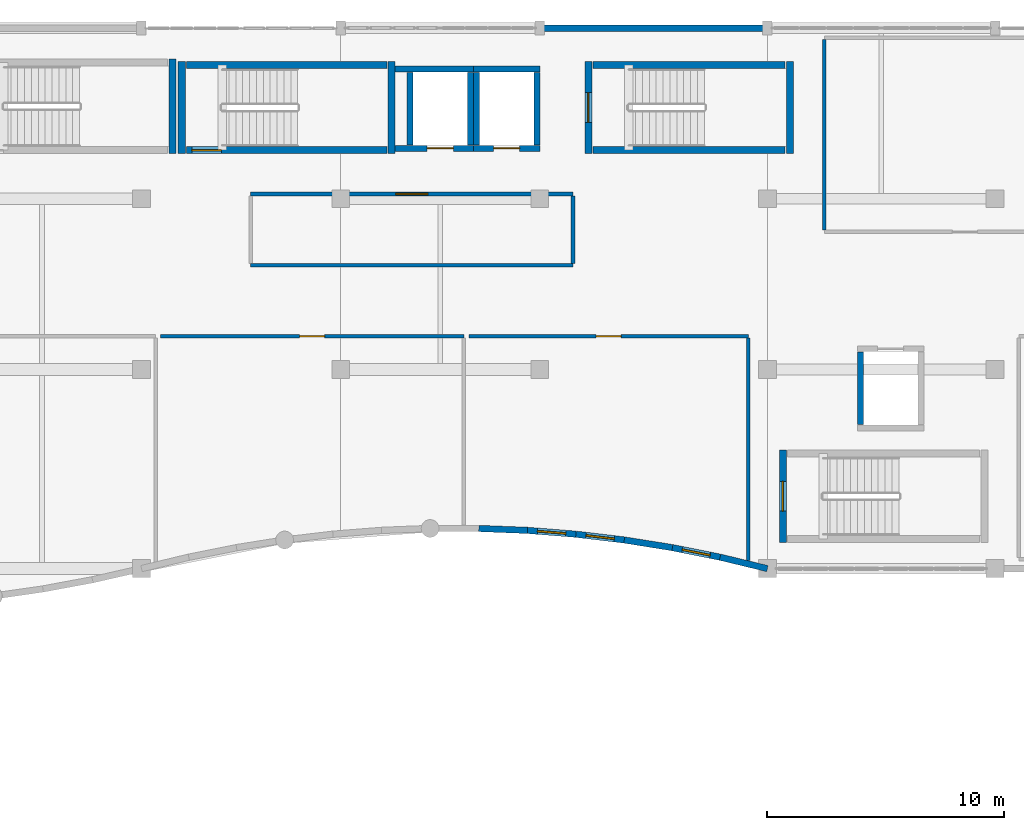
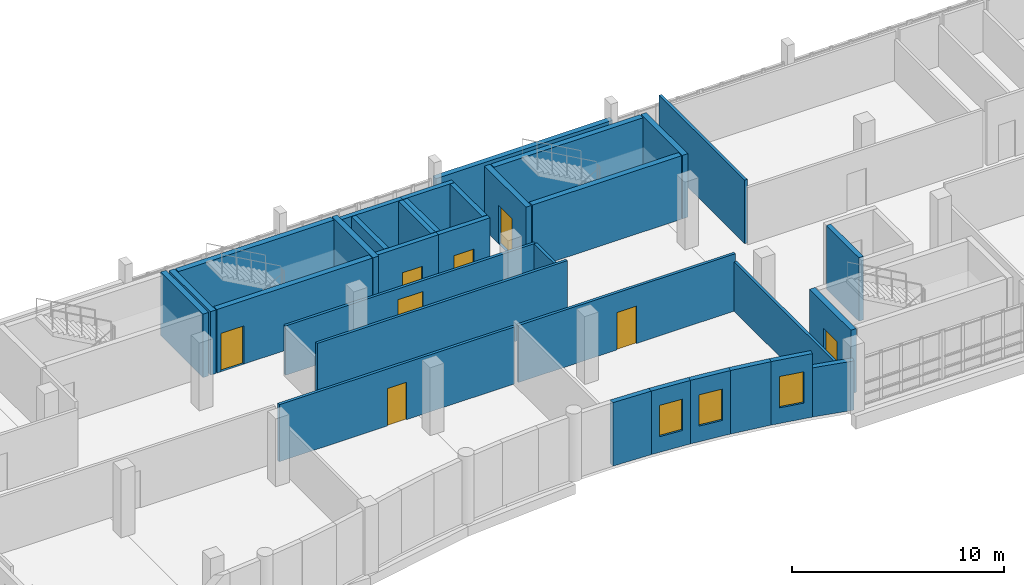
# One storey, part 173 of 188: 33 walls, 8 doors, 3 windows, 11 openings.
"""IFC4 building model written with IfcOpenShell, lengths in metres."""

from ifc_helpers import new_model, si_unit, direction, frame, frame_2d, origin, place, context, subcontext, project, spatial, rectangle, extrude, material, layer, layer_set, type_object, element, fill, save


model = new_model("IFC4")

# Units and contexts
model_context = context("Model", 3, precision=1e-05, world=origin(), true_north=direction((0.0, 1.0)))
body_context = subcontext(model_context, "Body", "Model", "MODEL_VIEW")
ifc_project = project(units=[si_unit("LENGTHUNIT", "METRE"), si_unit("AREAUNIT", "SQUARE_METRE"), si_unit("VOLUMEUNIT", "CUBIC_METRE"), si_unit("PLANEANGLEUNIT", "RADIAN"), si_unit("MASSUNIT", "GRAM", prefix="KILO")], contexts=[model_context])

# Site, building, storey
site_placement = place(None, origin())
site = spatial("IfcSite", under=ifc_project, at=site_placement, CompositionType="ELEMENT")
building_placement = place(site_placement, origin())
building = spatial("IfcBuilding", under=site, at=building_placement, Name="Kisaragi Civic Commons", CompositionType="ELEMENT")
storey_placement = place(building_placement, frame((0.0, 0.0, 9.60009765625)))
storey = spatial("IfcBuildingStorey", under=building, at=storey_placement, Name="L02", CompositionType="ELEMENT", Elevation=9.60009765625)

# Wall
ifc_material_1 = material(Name="Insulated Tokoname terracotta cavity wall", Category="masonry")
ifc_layer_1 = layer(ifc_material_1, 0.26806640625, Name="Insulated Tokoname terracotta cavity wall", Category="masonry")
ifc_layer_set_1 = layer_set([ifc_layer_1], Name="Insulated Tokoname terracotta cavity wall")
wall_type_1 = type_object("IfcWallType", Name="EW-04", PredefinedType="STANDARD", material=ifc_layer_set_1)
wall_1_placement = place(storey_placement, frame((123.60009765625, 96.0, 0.0), z_axis=(0.0, 0.0, 1.0), x_axis=(-0.972062565516, 0.234721896554, 0.0)))
element("IfcWall", 1, at=wall_1_placement, inside=storey, type_object=wall_type_1, Name="V4 L02 exterior terracotta wall EW-04 350", PredefinedType="STANDARD", context=body_context, shape_type="SweptSolid", body=[
    extrude(rectangle(XDim=2.05322265625, YDim=0.26806640625, at=frame_2d((1.026611328125, 0.0))), origin(), (0.0, 0.0, 1.0), 2.829833984375),
])

# Wall, opening, window
wall_2_placement = place(storey_placement, frame((121.604248046875, 96.48193359375, 0.0), z_axis=(0.0, 0.0, 1.0), x_axis=(-0.980585249135, 0.196093266532, 0.0)))
wall_2 = element("IfcWall", 2, at=wall_2_placement, inside=storey, type_object=wall_type_1, Name="V4 L02 exterior terracotta wall EW-04 351", PredefinedType="STANDARD", context=body_context, shape_type="SweptSolid", body=[
    extrude(rectangle(XDim=2.052978515625, YDim=0.26806640625, at=frame_2d((1.0263671875, 0.0))), origin(), (0.0, 0.0, 1.0), 3.64990234375),
])
opening_1_placement = place(wall_2_placement, frame((0.426513671875, 0.0, 0.89990234375)))
opening_1 = element("IfcOpeningElement", 3, at=opening_1_placement, cuts=wall_2, Name="Opening W-05", PredefinedType="OPENING", context=body_context, shape_type="SweptSolid", body=[
    extrude(rectangle(XDim=1.199951171875, YDim=1.800048828125, at=frame_2d((0.60009765625, 0.89990234375))), frame((0.0, 0.14404296875, 0.0), z_axis=(0.0, -1.0, 0.0), x_axis=(1.0, 0.0, 0.0)), (0.0, 0.0, 1.0), 0.2880859375),
])
ifc_material_2 = material(Name="Thermally broken aluminium frame and low-E argon double glazing", Category="aluminium")
window_type = type_object("IfcWindowType", Name="W-05", PartitioningType="SINGLE_PANEL", PredefinedType="WINDOW", material=ifc_material_2)
window_1_placement = place(opening_1_placement, origin())
window_1 = element("IfcWindow", 4, at=window_1_placement, inside=storey, type_object=window_type, Name="V4 L02 window W-05 119", OverallHeight=1.800048828125, OverallWidth=1.199951171875, PartitioningType="SINGLE_PANEL", PredefinedType="WINDOW", context=body_context, shape_type="SweptSolid", body=[
    extrude(rectangle(XDim=1.199951171875, YDim=1.800048828125, at=frame_2d((0.60009765625, 0.89990234375))), frame((0.0, 0.030029296875, 0.0), z_axis=(0.0, -1.0, 0.0), x_axis=(1.0, 0.0, 0.0)), (0.0, 0.0, 1.0), 0.06005859375),
])
fill(opening_1, window_1)

# Wall
wall_3_placement = place(storey_placement, frame((119.591064453125, 96.884521484375, 0.0), z_axis=(0.0, 0.0, 1.0), x_axis=(-0.987547997058, 0.157318001217, 0.0)))
element("IfcWall", 5, at=wall_3_placement, inside=storey, type_object=wall_type_1, Name="V4 L02 exterior terracotta wall EW-04 352", PredefinedType="STANDARD", context=body_context, shape_type="SweptSolid", body=[
    extrude(rectangle(XDim=2.05322265625, YDim=0.26806640625, at=frame_2d((1.026611328125, 0.0))), origin(), (0.0, 0.0, 1.0), 3.64990234375),
])

# Wall, opening, window
wall_4_placement = place(storey_placement, frame((117.5634765625, 97.20751953125, 0.0), z_axis=(0.0, 0.0, 1.0), x_axis=(-0.992988938913, 0.118207306021, 0.0)))
wall_4 = element("IfcWall", 6, at=wall_4_placement, inside=storey, type_object=wall_type_1, Name="V4 L02 exterior terracotta wall EW-04 353", PredefinedType="STANDARD", context=body_context, shape_type="SweptSolid", body=[
    extrude(rectangle(XDim=2.052978515625, YDim=0.26806640625, at=frame_2d((1.0263671875, 0.0))), origin(), (0.0, 0.0, 1.0), 3.64990234375),
])
opening_2_placement = place(wall_4_placement, frame((0.426513671875, 0.0, 0.89990234375)))
opening_2 = element("IfcOpeningElement", 7, at=opening_2_placement, cuts=wall_4, Name="Opening W-05", PredefinedType="OPENING", context=body_context, shape_type="SweptSolid", body=[
    extrude(rectangle(XDim=1.199951171875, YDim=1.800048828125, at=frame_2d((0.60009765625, 0.89990234375))), frame((0.0, 0.14404296875, 0.0), z_axis=(0.0, -1.0, 0.0), x_axis=(1.0, 0.0, 0.0)), (0.0, 0.0, 1.0), 0.2880859375),
])
window_2_placement = place(opening_2_placement, origin())
window_2 = element("IfcWindow", 8, at=window_2_placement, inside=storey, type_object=window_type, Name="V4 L02 window W-05 120", OverallHeight=1.800048828125, OverallWidth=1.199951171875, PartitioningType="SINGLE_PANEL", PredefinedType="WINDOW", context=body_context, shape_type="SweptSolid", body=[
    extrude(rectangle(XDim=1.199951171875, YDim=1.800048828125, at=frame_2d((0.60009765625, 0.89990234375))), frame((0.0, 0.030029296875, 0.0), z_axis=(0.0, -1.0, 0.0), x_axis=(1.0, 0.0, 0.0)), (0.0, 0.0, 1.0), 0.06005859375),
])
fill(opening_2, window_2)

wall_5_placement = place(storey_placement, frame((115.52490234375, 97.4501953125, 0.0), z_axis=(0.0, 0.0, 1.0), x_axis=(-0.996887829118, 0.078833090494, 0.0)))
wall_5 = element("IfcWall", 9, at=wall_5_placement, inside=storey, type_object=wall_type_1, Name="V4 L02 exterior terracotta wall EW-04 354", PredefinedType="STANDARD", context=body_context, shape_type="SweptSolid", body=[
    extrude(rectangle(XDim=2.05322265625, YDim=0.26806640625, at=frame_2d((1.026611328125, 0.0))), origin(), (0.0, 0.0, 1.0), 3.64990234375),
])
opening_3_placement = place(wall_5_placement, frame((0.426513671875, 0.0, 0.89990234375)))
opening_3 = element("IfcOpeningElement", 10, at=opening_3_placement, cuts=wall_5, Name="Opening W-05", PredefinedType="OPENING", context=body_context, shape_type="SweptSolid", body=[
    extrude(rectangle(XDim=1.199951171875, YDim=1.800048828125, at=frame_2d((0.60009765625, 0.89990234375))), frame((0.0, 0.14404296875, 0.0), z_axis=(0.0, -1.0, 0.0), x_axis=(1.0, 0.0, 0.0)), (0.0, 0.0, 1.0), 0.2880859375),
])
window_3_placement = place(opening_3_placement, origin())
window_3 = element("IfcWindow", 11, at=window_3_placement, inside=storey, type_object=window_type, Name="V4 L02 window W-05 121", OverallHeight=1.800048828125, OverallWidth=1.199951171875, PartitioningType="SINGLE_PANEL", PredefinedType="WINDOW", context=body_context, shape_type="SweptSolid", body=[
    extrude(rectangle(XDim=1.199951171875, YDim=1.800048828125, at=frame_2d((0.60009765625, 0.89990234375))), frame((0.0, 0.030029296875, 0.0), z_axis=(0.0, -1.0, 0.0), x_axis=(1.0, 0.0, 0.0)), (0.0, 0.0, 1.0), 0.06005859375),
])
fill(opening_3, window_3)

# Walls
wall_6_placement = place(storey_placement, frame((113.47802734375, 97.612060546875, 0.0), z_axis=(0.0, 0.0, 1.0), x_axis=(-0.999220404448, 0.039478897332, 0.0)))
element("IfcWall", 12, at=wall_6_placement, inside=storey, type_object=wall_type_1, Name="V4 L02 exterior terracotta wall EW-04 355", PredefinedType="STANDARD", context=body_context, shape_type="SweptSolid", body=[
    extrude(rectangle(XDim=2.05322265625, YDim=0.26806640625, at=frame_2d((1.026611328125, 0.0))), origin(), (0.0, 0.0, 1.0), 3.64990234375),
])
ifc_layer_2 = layer(ifc_material_1, 0.278076171875, Name="Insulated Tokoname terracotta cavity wall", Category="masonry")
ifc_layer_set_2 = layer_set([ifc_layer_2], Name="Insulated Tokoname terracotta cavity wall")
wall_type_2 = type_object("IfcWallType", Name="EW-07", PredefinedType="STANDARD", material=ifc_layer_set_2)
wall_7_placement = place(storey_placement, frame((114.0, 118.800048828125, 0.0), z_axis=(0.0, 0.0, 1.0), x_axis=(1.0, 0.0, 0.0)))
element("IfcWall", 13, at=wall_7_placement, inside=storey, type_object=wall_type_2, Name="V4 L02 exterior terracotta wall EW-07 347", PredefinedType="STANDARD", context=body_context, shape_type="SweptSolid", body=[
    extrude(rectangle(XDim=9.60009765625, YDim=0.278076171875, at=frame_2d((4.800048828125, 0.0))), origin(), (0.0, 0.0, 1.0), 2.829833984375),
])

# Wall, opening, door
ifc_material_3 = material(Name="Acoustic gypsum board on light-gauge steel studs", Category="steel")
ifc_layer_3 = layer(ifc_material_3, 0.14990234375, Name="Acoustic gypsum board on light-gauge steel studs", Category="steel")
ifc_layer_set_3 = layer_set([ifc_layer_3], Name="Acoustic gypsum board on light-gauge steel studs")
wall_type_3 = type_object("IfcWallType", Name="IW-01", PredefinedType="STANDARD", material=ifc_layer_set_3)
wall_8_placement = place(storey_placement, frame((101.804931640625, 111.800048828125, 0.0), z_axis=(0.0, 0.0, 1.0), x_axis=(1.0, 0.0, 0.0)))
wall_8 = element("IfcWall", 14, at=wall_8_placement, inside=storey, type_object=wall_type_3, Name="L02 W2-11 partition IW-01 292", PredefinedType="STANDARD", context=body_context, shape_type="SweptSolid", body=[
    extrude(rectangle(XDim=13.590087890625, YDim=0.14990234375, at=frame_2d((6.794921875, 0.0))), origin(), (0.0, 0.0, 1.0), 2.829833984375),
])
opening_4_placement = place(wall_8_placement, frame((6.1201171875, 0.0, 0.0)))
opening_4 = element("IfcOpeningElement", 15, at=opening_4_placement, cuts=wall_8, Name="Opening ID-13", PredefinedType="OPENING", context=body_context, shape_type="SweptSolid", body=[
    extrude(rectangle(XDim=1.35009765625, YDim=2.199951171875, at=frame_2d((0.675048828125, 1.10009765625))), frame((0.0, 0.0849609375, 0.0), z_axis=(0.0, -1.0, 0.0), x_axis=(1.0, 0.0, 0.0)), (0.0, 0.0, 1.0), 0.169921875),
])
ifc_material_4 = material(Name="Solid-core Japanese ash acoustic flush timber leaf in steel frame", Category="steel")
door_type_1 = type_object("IfcDoorType", Name="ID-13", OperationType="NOTDEFINED", PredefinedType="DOOR", material=ifc_material_4)
door_1_placement = place(opening_4_placement, origin())
door_1 = element("IfcDoor", 16, at=door_1_placement, inside=storey, type_object=door_type_1, Name="Digital Fabrication Makerspace door ID-13", OperationType="DOUBLE_DOOR_SINGLE_SWING", OverallHeight=2.199951171875, OverallWidth=1.35009765625, PredefinedType="DOOR", context=body_context, shape_type="SweptSolid", body=[
    extrude(rectangle(XDim=1.35009765625, YDim=2.199951171875, at=frame_2d((0.675048828125, 1.10009765625))), frame((0.0, 0.02490234375, 0.0), z_axis=(0.0, -1.0, 0.0), x_axis=(1.0, 0.0, 0.0)), (0.0, 0.0, 1.0), 0.050048828125),
])
fill(opening_4, door_1)

# Walls
wall_9_placement = place(storey_placement, frame((115.39990234375, 111.72509765625, 0.0), z_axis=(0.0, 0.0, 1.0), x_axis=(0.0, -1.0, 0.0)))
element("IfcWall", 17, at=wall_9_placement, inside=storey, type_object=wall_type_3, Name="L02 W2-11 partition IW-01 293", PredefinedType="STANDARD", context=body_context, shape_type="SweptSolid", body=[
    extrude(rectangle(XDim=2.85009765625, YDim=0.14990234375, at=frame_2d((1.425048828125, 0.0))), origin(), (0.0, 0.0, 1.0), 2.829833984375),
])
wall_10_placement = place(storey_placement, frame((115.39501953125, 108.800048828125, 0.0), z_axis=(0.0, 0.0, 1.0), x_axis=(-1.0, 0.0, 0.0)))
element("IfcWall", 18, at=wall_10_placement, inside=storey, type_object=wall_type_3, Name="L02 W2-11 partition IW-01 294", PredefinedType="STANDARD", context=body_context, shape_type="SweptSolid", body=[
    extrude(rectangle(XDim=13.590087890625, YDim=0.14990234375, at=frame_2d((6.794921875, 0.0))), origin(), (0.0, 0.0, 1.0), 3.64990234375),
])

# Wall, opening, door
wall_11_placement = place(storey_placement, frame((98.0048828125, 105.800048828125, 0.0), z_axis=(0.0, 0.0, 1.0), x_axis=(1.0, 0.0, 0.0)))
wall_11 = element("IfcWall", 19, at=wall_11_placement, inside=storey, type_object=wall_type_3, Name="L02 W2-04 partition IW-01 309", PredefinedType="STANDARD", context=body_context, shape_type="SweptSolid", body=[
    extrude(rectangle(XDim=12.7900390625, YDim=0.14990234375, at=frame_2d((6.39501953125, 0.0))), origin(), (0.0, 0.0, 1.0), 3.27978515625),
])
opening_5_placement = place(wall_11_placement, frame((5.8701171875, 0.0, 0.0)))
opening_5 = element("IfcOpeningElement", 20, at=opening_5_placement, cuts=wall_11, Name="Opening ID-03", PredefinedType="OPENING", context=body_context, shape_type="SweptSolid", body=[
    extrude(rectangle(XDim=1.050048828125, YDim=2.14990234375, at=frame_2d((0.52490234375, 1.074951171875))), frame((0.0, 0.0849609375, 0.0), z_axis=(0.0, -1.0, 0.0), x_axis=(1.0, 0.0, 0.0)), (0.0, 0.0, 1.0), 0.169921875),
])
door_type_2 = type_object("IfcDoorType", Name="ID-03", OperationType="NOTDEFINED", PredefinedType="DOOR", material=ifc_material_4)
door_2_placement = place(opening_5_placement, origin())
door_2 = element("IfcDoor", 21, at=door_2_placement, inside=storey, type_object=door_type_2, Name="Adult Classroom West door ID-03", OperationType="SINGLE_SWING_RIGHT", OverallHeight=2.14990234375, OverallWidth=1.050048828125, PredefinedType="DOOR", context=body_context, shape_type="SweptSolid", body=[
    extrude(rectangle(XDim=1.050048828125, YDim=2.14990234375, at=frame_2d((0.52490234375, 1.074951171875))), frame((0.0, 0.02490234375, 0.0), z_axis=(0.0, -1.0, 0.0), x_axis=(1.0, 0.0, 0.0)), (0.0, 0.0, 1.0), 0.050048828125),
])
fill(opening_5, door_2)

wall_12_placement = place(storey_placement, frame((111.0048828125, 105.800048828125, 0.0), z_axis=(0.0, 0.0, 1.0), x_axis=(1.0, 0.0, 0.0)))
wall_12 = element("IfcWall", 22, at=wall_12_placement, inside=storey, type_object=wall_type_3, Name="L02 W2-05 partition IW-01 311", PredefinedType="STANDARD", context=body_context, shape_type="SweptSolid", body=[
    extrude(rectangle(XDim=11.7900390625, YDim=0.14990234375, at=frame_2d((5.89501953125, 0.0))), origin(), (0.0, 0.0, 1.0), 3.27978515625),
])
opening_6_placement = place(wall_12_placement, frame((5.3701171875, 0.0, 0.0)))
opening_6 = element("IfcOpeningElement", 23, at=opening_6_placement, cuts=wall_12, Name="Opening ID-03", PredefinedType="OPENING", context=body_context, shape_type="SweptSolid", body=[
    extrude(rectangle(XDim=1.050048828125, YDim=2.14990234375, at=frame_2d((0.52490234375, 1.074951171875))), frame((0.0, 0.0849609375, 0.0), z_axis=(0.0, -1.0, 0.0), x_axis=(1.0, 0.0, 0.0)), (0.0, 0.0, 1.0), 0.169921875),
])
door_3_placement = place(opening_6_placement, origin())
door_3 = element("IfcDoor", 24, at=door_3_placement, inside=storey, type_object=door_type_2, Name="Adult Classroom Central door ID-03", OperationType="SINGLE_SWING_LEFT", OverallHeight=2.14990234375, OverallWidth=1.050048828125, PredefinedType="DOOR", context=body_context, shape_type="SweptSolid", body=[
    extrude(rectangle(XDim=1.050048828125, YDim=2.14990234375, at=frame_2d((0.52490234375, 1.074951171875))), frame((0.0, 0.02490234375, 0.0), z_axis=(0.0, -1.0, 0.0), x_axis=(1.0, 0.0, 0.0)), (0.0, 0.0, 1.0), 0.050048828125),
])
fill(opening_6, door_3)

# Walls
wall_13_placement = place(storey_placement, frame((122.800048828125, 105.72509765625, 0.0), z_axis=(0.0, 0.0, 1.0), x_axis=(0.0, -1.0, 0.0)))
element("IfcWall", 25, at=wall_13_placement, inside=storey, type_object=wall_type_3, Name="L02 W2-05 partition IW-01 312", PredefinedType="STANDARD", context=body_context, shape_type="SweptSolid", body=[
    extrude(rectangle(XDim=9.389892578125, YDim=0.14990234375, at=frame_2d((4.69482421875, 0.0))), origin(), (0.0, 0.0, 1.0), 2.829833984375),
])
wall_14_placement = place(storey_placement, frame((126.0, 110.27490234375, 0.0), z_axis=(0.0, 0.0, 1.0), x_axis=(0.0, 1.0, 0.0)))
element("IfcWall", 26, at=wall_14_placement, inside=storey, type_object=wall_type_3, Name="L02 W2-07 partition IW-01 319", PredefinedType="STANDARD", context=body_context, shape_type="SweptSolid", body=[
    extrude(rectangle(XDim=8.050048828125, YDim=0.14990234375, at=frame_2d((4.02490234375, 0.0))), origin(), (0.0, 0.0, 1.0), 3.64990234375),
])
ifc_material_5 = material(Name="Concrete Fc36", Category="concrete")
ifc_layer_4 = layer(ifc_material_5, 0.300048828125, Name="Concrete Fc36", Category="concrete")
ifc_layer_set_4 = layer_set([ifc_layer_4], Name="Concrete Fc36")
wall_type_4 = type_object("IfcWallType", Name="SW-01", PredefinedType="SHEAR", material=ifc_layer_set_4)
wall_15_placement = place(storey_placement, frame((98.89990234375, 117.39990234375, 0.0), z_axis=(0.0, 0.0, 1.0), x_axis=(0.0, -1.0, 0.0)))
element("IfcWall", 27, at=wall_15_placement, inside=storey, type_object=wall_type_4, Name="ST-L1 L02 entry RC shear wall", PredefinedType="SHEAR", context=body_context, shape_type="SweptSolid", body=[
    extrude(rectangle(XDim=3.89990234375, YDim=0.300048828125, at=frame_2d((1.949951171875, 0.0))), origin(), (0.0, 0.0, 1.0), 3.64990234375),
])

# Wall, opening, door
wall_16_placement = place(storey_placement, frame((99.10009765625, 113.64990234375, 0.0), z_axis=(0.0, 0.0, 1.0), x_axis=(1.0, 0.0, 0.0)))
wall_16 = element("IfcWall", 28, at=wall_16_placement, inside=storey, type_object=wall_type_4, Name="ST-L1 L02 right RC shear wall", PredefinedType="SHEAR", context=body_context, shape_type="SweptSolid", body=[
    extrude(rectangle(XDim=8.449951171875, YDim=0.300048828125, at=frame_2d((4.22509765625, 0.0))), origin(), (0.0, 0.0, 1.0), 3.64990234375),
])
opening_7_placement = place(wall_16_placement, frame((0.219970703125, 0.0, 0.0)))
opening_7 = element("IfcOpeningElement", 29, at=opening_7_placement, cuts=wall_16, Name="Opening SD-01", PredefinedType="OPENING", context=body_context, shape_type="SweptSolid", body=[
    extrude(rectangle(XDim=1.25, YDim=2.199951171875, at=frame_2d((0.625, 1.10009765625))), frame((0.0, 0.159912109375, 0.0), z_axis=(0.0, -1.0, 0.0), x_axis=(1.0, 0.0, 0.0)), (0.0, 0.0, 1.0), 0.320068359375),
])
ifc_material_6 = material(Name="Insulated fire-rated pressed steel door assembly", Category="steel")
door_type_3 = type_object("IfcDoorType", Name="SD-01", OperationType="NOTDEFINED", PredefinedType="DOOR", material=ifc_material_6)
door_4_placement = place(opening_7_placement, origin())
door_4 = element("IfcDoor", 30, at=door_4_placement, inside=storey, type_object=door_type_3, Name="ST-L1 L02 stair fire door 4", OperationType="SINGLE_SWING_RIGHT", OverallHeight=2.199951171875, OverallWidth=1.25, PredefinedType="DOOR", context=body_context, shape_type="SweptSolid", body=[
    extrude(rectangle(XDim=1.25, YDim=2.199951171875, at=frame_2d((0.625, 1.10009765625))), frame((0.0, 0.02490234375, 0.0), z_axis=(0.0, -1.0, 0.0), x_axis=(1.0, 0.0, 0.0)), (0.0, 0.0, 1.0), 0.050048828125),
])
fill(opening_7, door_4)

# Walls
wall_17_placement = place(storey_placement, frame((107.75, 113.5, 0.0), z_axis=(0.0, 0.0, 1.0), x_axis=(0.0, 1.0, 0.0)))
element("IfcWall", 31, at=wall_17_placement, inside=storey, type_object=wall_type_4, Name="ST-L1 L02 far RC shear wall", PredefinedType="SHEAR", context=body_context, shape_type="SweptSolid", body=[
    extrude(rectangle(XDim=3.89990234375, YDim=0.300048828125, at=frame_2d((1.949951171875, 0.0))), origin(), (0.0, 0.0, 1.0), 3.64990234375),
])
wall_18_placement = place(storey_placement, frame((107.550048828125, 117.25, 0.0), z_axis=(0.0, 0.0, 1.0), x_axis=(-1.0, 0.0, 0.0)))
element("IfcWall", 32, at=wall_18_placement, inside=storey, type_object=wall_type_4, Name="ST-L1 L02 left RC shear wall", PredefinedType="SHEAR", context=body_context, shape_type="SweptSolid", body=[
    extrude(rectangle(XDim=8.449951171875, YDim=0.300048828125, at=frame_2d((4.22509765625, 0.0))), origin(), (0.0, 0.0, 1.0), 3.64990234375),
])

# Wall, opening, door
wall_19_placement = place(storey_placement, frame((116.050048828125, 117.39990234375, 0.0), z_axis=(0.0, 0.0, 1.0), x_axis=(0.0, -1.0, 0.0)))
wall_19 = element("IfcWall", 33, at=wall_19_placement, inside=storey, type_object=wall_type_4, Name="ST-L2 L02 entry RC shear wall", PredefinedType="SHEAR", context=body_context, shape_type="SweptSolid", body=[
    extrude(rectangle(XDim=3.89990234375, YDim=0.300048828125, at=frame_2d((1.949951171875, 0.0))), origin(), (0.0, 0.0, 1.0), 3.64990234375),
])
opening_8_placement = place(wall_19_placement, frame((1.324951171875, 0.0, 0.0)))
opening_8 = element("IfcOpeningElement", 34, at=opening_8_placement, cuts=wall_19, Name="Opening SD-01", PredefinedType="OPENING", context=body_context, shape_type="SweptSolid", body=[
    extrude(rectangle(XDim=1.25, YDim=2.199951171875, at=frame_2d((0.625, 1.10009765625))), frame((0.0, 0.159912109375, 0.0), z_axis=(0.0, -1.0, 0.0), x_axis=(1.0, 0.0, 0.0)), (0.0, 0.0, 1.0), 0.320068359375),
])
door_5_placement = place(opening_8_placement, origin())
door_5 = element("IfcDoor", 35, at=door_5_placement, inside=storey, type_object=door_type_3, Name="ST-L2 L02 stair fire door 10", OperationType="SINGLE_SWING_RIGHT", OverallHeight=2.199951171875, OverallWidth=1.25, PredefinedType="DOOR", context=body_context, shape_type="SweptSolid", body=[
    extrude(rectangle(XDim=1.25, YDim=2.199951171875, at=frame_2d((0.625, 1.10009765625))), frame((0.0, 0.02490234375, 0.0), z_axis=(0.0, -1.0, 0.0), x_axis=(1.0, 0.0, 0.0)), (0.0, 0.0, 1.0), 0.050048828125),
])
fill(opening_8, door_5)

# Walls
wall_20_placement = place(storey_placement, frame((116.25, 113.64990234375, 0.0), z_axis=(0.0, 0.0, 1.0), x_axis=(1.0, 0.0, 0.0)))
element("IfcWall", 36, at=wall_20_placement, inside=storey, type_object=wall_type_4, Name="ST-L2 L02 right RC shear wall", PredefinedType="SHEAR", context=body_context, shape_type="SweptSolid", body=[
    extrude(rectangle(XDim=8.10009765625, YDim=0.300048828125, at=frame_2d((4.050048828125, 0.0))), origin(), (0.0, 0.0, 1.0), 3.64990234375),
])
wall_21_placement = place(storey_placement, frame((124.550048828125, 113.5, 0.0), z_axis=(0.0, 0.0, 1.0), x_axis=(0.0, 1.0, 0.0)))
element("IfcWall", 37, at=wall_21_placement, inside=storey, type_object=wall_type_4, Name="ST-L2 L02 far RC shear wall", PredefinedType="SHEAR", context=body_context, shape_type="SweptSolid", body=[
    extrude(rectangle(XDim=3.89990234375, YDim=0.300048828125, at=frame_2d((1.949951171875, 0.0))), origin(), (0.0, 0.0, 1.0), 3.64990234375),
])
wall_22_placement = place(storey_placement, frame((124.35009765625, 117.25, 0.0), z_axis=(0.0, 0.0, 1.0), x_axis=(-1.0, 0.0, 0.0)))
element("IfcWall", 38, at=wall_22_placement, inside=storey, type_object=wall_type_4, Name="ST-L2 L02 left RC shear wall", PredefinedType="SHEAR", context=body_context, shape_type="SweptSolid", body=[
    extrude(rectangle(XDim=8.10009765625, YDim=0.300048828125, at=frame_2d((4.050048828125, 0.0))), origin(), (0.0, 0.0, 1.0), 3.64990234375),
])

# Wall, opening, door
wall_23_placement = place(storey_placement, frame((124.25, 101.0, 0.0), z_axis=(0.0, 0.0, 1.0), x_axis=(0.0, -1.0, 0.0)))
wall_23 = element("IfcWall", 39, at=wall_23_placement, inside=storey, type_object=wall_type_4, Name="ST-L3 L02 entry RC shear wall", PredefinedType="SHEAR", context=body_context, shape_type="SweptSolid", body=[
    extrude(rectangle(XDim=3.89990234375, YDim=0.300048828125, at=frame_2d((1.949951171875, 0.0))), origin(), (0.0, 0.0, 1.0), 3.64990234375),
])
opening_9_placement = place(wall_23_placement, frame((1.324951171875, 0.0, 0.0)))
opening_9 = element("IfcOpeningElement", 40, at=opening_9_placement, cuts=wall_23, Name="Opening SD-01", PredefinedType="OPENING", context=body_context, shape_type="SweptSolid", body=[
    extrude(rectangle(XDim=1.25, YDim=2.199951171875, at=frame_2d((0.625, 1.10009765625))), frame((0.0, 0.159912109375, 0.0), z_axis=(0.0, -1.0, 0.0), x_axis=(1.0, 0.0, 0.0)), (0.0, 0.0, 1.0), 0.320068359375),
])
door_6_placement = place(opening_9_placement, origin())
door_6 = element("IfcDoor", 41, at=door_6_placement, inside=storey, type_object=door_type_3, Name="ST-L3 L02 stair fire door 16", OperationType="SINGLE_SWING_RIGHT", OverallHeight=2.199951171875, OverallWidth=1.25, PredefinedType="DOOR", context=body_context, shape_type="SweptSolid", body=[
    extrude(rectangle(XDim=1.25, YDim=2.199951171875, at=frame_2d((0.625, 1.10009765625))), frame((0.0, 0.02490234375, 0.0), z_axis=(0.0, -1.0, 0.0), x_axis=(1.0, 0.0, 0.0)), (0.0, 0.0, 1.0), 0.050048828125),
])
fill(opening_9, door_6)

# Wall
wall_24_placement = place(storey_placement, frame((98.5, 113.5, 0.0), z_axis=(0.0, 0.0, 1.0), x_axis=(0.0, 1.0, 0.0)))
element("IfcWall", 42, at=wall_24_placement, inside=storey, type_object=wall_type_4, Name="ST-L4 L02 far RC shear wall", PredefinedType="SHEAR", context=body_context, shape_type="SweptSolid", body=[
    extrude(rectangle(XDim=4.0, YDim=0.300048828125, at=frame_2d((2.0, 0.0))), origin(), (0.0, 0.0, 1.0), 3.64990234375),
])

# Wall, opening, door
ifc_layer_5 = layer(ifc_material_5, 0.25, Name="Concrete Fc36", Category="concrete")
ifc_layer_set_5 = layer_set([ifc_layer_5], Name="Concrete Fc36")
wall_type_5 = type_object("IfcWallType", Name="SW-02", PredefinedType="SHEAR", material=ifc_layer_set_5)
wall_25_placement = place(storey_placement, frame((111.199951171875, 113.72509765625, 0.0), z_axis=(0.0, 0.0, 1.0), x_axis=(-1.0, 0.0, 0.0)))
wall_25 = element("IfcWall", 43, at=wall_25_placement, inside=storey, type_object=wall_type_5, Name="EL-L1 L02 south lift shaft wall", PredefinedType="SHEAR", context=body_context, shape_type="SweptSolid", body=[
    extrude(rectangle(XDim=3.300048828125, YDim=0.25, at=frame_2d((1.64990234375, 0.0))), origin(), (0.0, 0.0, 1.0), 3.64990234375),
])
opening_10_placement = place(wall_25_placement, frame((0.85009765625, 0.0, 0.0)))
opening_10 = element("IfcOpeningElement", 44, at=opening_10_placement, cuts=wall_25, Name="Opening LD-01", PredefinedType="OPENING", context=body_context, shape_type="SweptSolid", body=[
    extrude(rectangle(XDim=1.10009765625, YDim=2.14990234375, at=frame_2d((0.550048828125, 1.074951171875))), frame((0.0, 0.135009765625, 0.0), z_axis=(0.0, -1.0, 0.0), x_axis=(1.0, 0.0, 0.0)), (0.0, 0.0, 1.0), 0.27001953125),
])
ifc_material_7 = material(Name="Brushed stainless steel bi-parting landing door", Category="steel")
door_type_4 = type_object("IfcDoorType", Name="LD-01", OperationType="NOTDEFINED", PredefinedType="DOOR", material=ifc_material_7)
door_7_placement = place(opening_10_placement, origin())
door_7 = element("IfcDoor", 45, at=door_7_placement, inside=storey, type_object=door_type_4, Name="EL-L1 L02 sliding lift landing door", OperationType="DOUBLE_DOOR_SLIDING", OverallHeight=2.14990234375, OverallWidth=1.10009765625, PredefinedType="DOOR", context=body_context, shape_type="SweptSolid", body=[
    extrude(rectangle(XDim=1.10009765625, YDim=2.14990234375, at=frame_2d((0.550048828125, 1.074951171875))), frame((0.0, 0.02490234375, 0.0), z_axis=(0.0, -1.0, 0.0), x_axis=(1.0, 0.0, 0.0)), (0.0, 0.0, 1.0), 0.050048828125),
])
fill(opening_10, door_7)

# Walls
wall_26_placement = place(storey_placement, frame((108.52490234375, 113.8701171875, 0.0), z_axis=(0.0, 0.0, 1.0), x_axis=(0.0, 1.0, 0.0)))
element("IfcWall", 46, at=wall_26_placement, inside=storey, type_object=wall_type_5, Name="EL-L1 L02 west lift shaft wall", PredefinedType="SHEAR", context=body_context, shape_type="SweptSolid", body=[
    extrude(rectangle(XDim=3.059814453125, YDim=0.25, at=frame_2d((1.52978515625, 0.0))), origin(), (0.0, 0.0, 1.0), 3.64990234375),
])
wall_27_placement = place(storey_placement, frame((107.89990234375, 117.074951171875, 0.0), z_axis=(0.0, 0.0, 1.0), x_axis=(1.0, 0.0, 0.0)))
element("IfcWall", 47, at=wall_27_placement, inside=storey, type_object=wall_type_5, Name="EL-L1 L02 north lift shaft wall", PredefinedType="SHEAR", context=body_context, shape_type="SweptSolid", body=[
    extrude(rectangle(XDim=3.300048828125, YDim=0.25, at=frame_2d((1.64990234375, 0.0))), origin(), (0.0, 0.0, 1.0), 3.64990234375),
])
wall_28_placement = place(storey_placement, frame((111.074951171875, 116.929931640625, 0.0), z_axis=(0.0, 0.0, 1.0), x_axis=(0.0, -1.0, 0.0)))
element("IfcWall", 48, at=wall_28_placement, inside=storey, type_object=wall_type_5, Name="EL-L1 L02 east lift shaft wall", PredefinedType="SHEAR", context=body_context, shape_type="SweptSolid", body=[
    extrude(rectangle(XDim=3.059814453125, YDim=0.25, at=frame_2d((1.52978515625, 0.0))), origin(), (0.0, 0.0, 1.0), 3.64990234375),
])

# Wall, opening, door
wall_29_placement = place(storey_placement, frame((114.0, 113.72509765625, 0.0), z_axis=(0.0, 0.0, 1.0), x_axis=(-1.0, 0.0, 0.0)))
wall_29 = element("IfcWall", 49, at=wall_29_placement, inside=storey, type_object=wall_type_5, Name="EL-L2 L02 south lift shaft wall", PredefinedType="SHEAR", context=body_context, shape_type="SweptSolid", body=[
    extrude(rectangle(XDim=2.800048828125, YDim=0.25, at=frame_2d((1.39990234375, 0.0))), origin(), (0.0, 0.0, 1.0), 3.64990234375),
])
opening_11_placement = place(wall_29_placement, frame((0.85009765625, 0.0, 0.0)))
opening_11 = element("IfcOpeningElement", 50, at=opening_11_placement, cuts=wall_29, Name="Opening LD-01", PredefinedType="OPENING", context=body_context, shape_type="SweptSolid", body=[
    extrude(rectangle(XDim=1.10009765625, YDim=2.14990234375, at=frame_2d((0.550048828125, 1.074951171875))), frame((0.0, 0.135009765625, 0.0), z_axis=(0.0, -1.0, 0.0), x_axis=(1.0, 0.0, 0.0)), (0.0, 0.0, 1.0), 0.27001953125),
])
door_8_placement = place(opening_11_placement, origin())
door_8 = element("IfcDoor", 51, at=door_8_placement, inside=storey, type_object=door_type_4, Name="EL-L2 L02 sliding lift landing door", OperationType="DOUBLE_DOOR_SLIDING", OverallHeight=2.14990234375, OverallWidth=1.10009765625, PredefinedType="DOOR", context=body_context, shape_type="SweptSolid", body=[
    extrude(rectangle(XDim=1.10009765625, YDim=2.14990234375, at=frame_2d((0.550048828125, 1.074951171875))), frame((0.0, 0.02490234375, 0.0), z_axis=(0.0, -1.0, 0.0), x_axis=(1.0, 0.0, 0.0)), (0.0, 0.0, 1.0), 0.050048828125),
])
fill(opening_11, door_8)

# Walls
wall_30_placement = place(storey_placement, frame((111.324951171875, 113.8701171875, 0.0), z_axis=(0.0, 0.0, 1.0), x_axis=(0.0, 1.0, 0.0)))
element("IfcWall", 52, at=wall_30_placement, inside=storey, type_object=wall_type_5, Name="EL-L2 L02 west lift shaft wall", PredefinedType="SHEAR", context=body_context, shape_type="SweptSolid", body=[
    extrude(rectangle(XDim=3.059814453125, YDim=0.25, at=frame_2d((1.52978515625, 0.0))), origin(), (0.0, 0.0, 1.0), 3.64990234375),
])
wall_31_placement = place(storey_placement, frame((111.199951171875, 117.074951171875, 0.0), z_axis=(0.0, 0.0, 1.0), x_axis=(1.0, 0.0, 0.0)))
element("IfcWall", 53, at=wall_31_placement, inside=storey, type_object=wall_type_5, Name="EL-L2 L02 north lift shaft wall", PredefinedType="SHEAR", context=body_context, shape_type="SweptSolid", body=[
    extrude(rectangle(XDim=2.800048828125, YDim=0.25, at=frame_2d((1.39990234375, 0.0))), origin(), (0.0, 0.0, 1.0), 3.64990234375),
])
for number, where, z_axis, x_axis, name in (
    (54, (113.875, 116.929931640625, 0.0), (0.0, 0.0, 1.0), (0.0, -1.0, 0.0), "EL-L2 L02 east lift shaft wall"),
    (55, (127.52490234375, 102.070068359375, 0.0), (0.0, 0.0, 1.0), (0.0, 1.0, 0.0), "EL-L3 L02 west lift shaft wall"),
):
    element("IfcWall", number, at=place(storey_placement, frame(where, z_axis=z_axis, x_axis=x_axis)), inside=storey, type_object=wall_type_5, Name=name, PredefinedType="SHEAR", context=body_context, shape_type="SweptSolid", body=[
        extrude(rectangle(XDim=3.059814453125, YDim=0.25, at=frame_2d((1.52978515625, 0.0))), origin(), (0.0, 0.0, 1.0), 3.64990234375),
    ])

save(model, "model.ifc")
